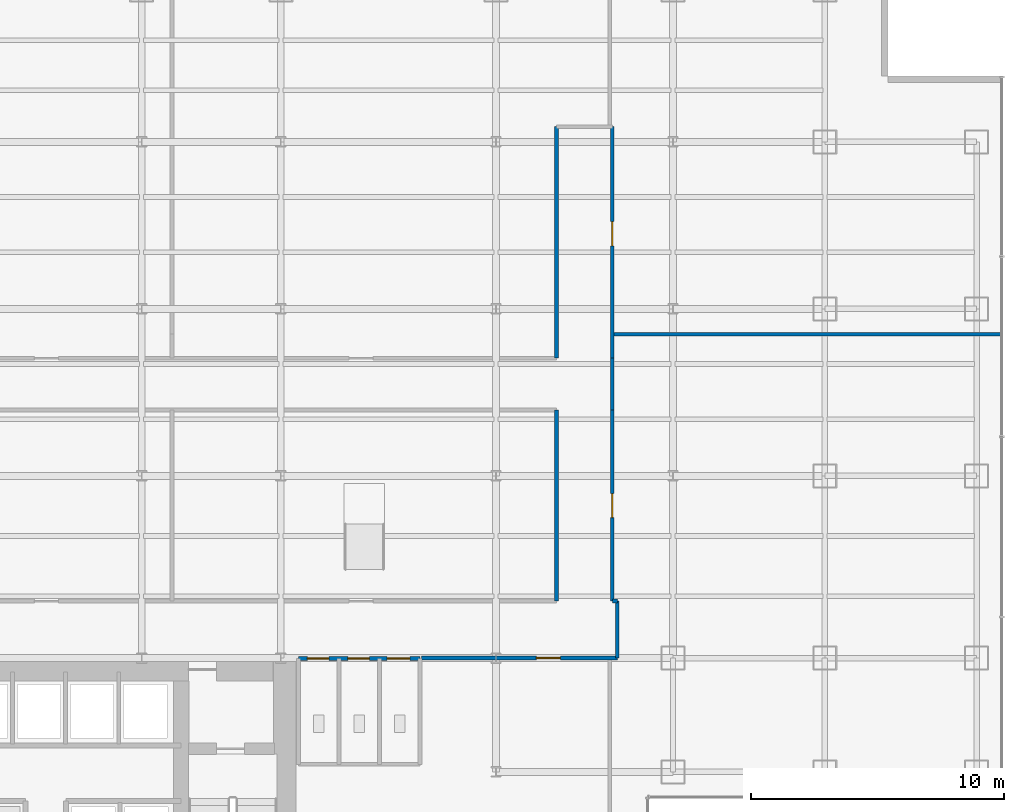
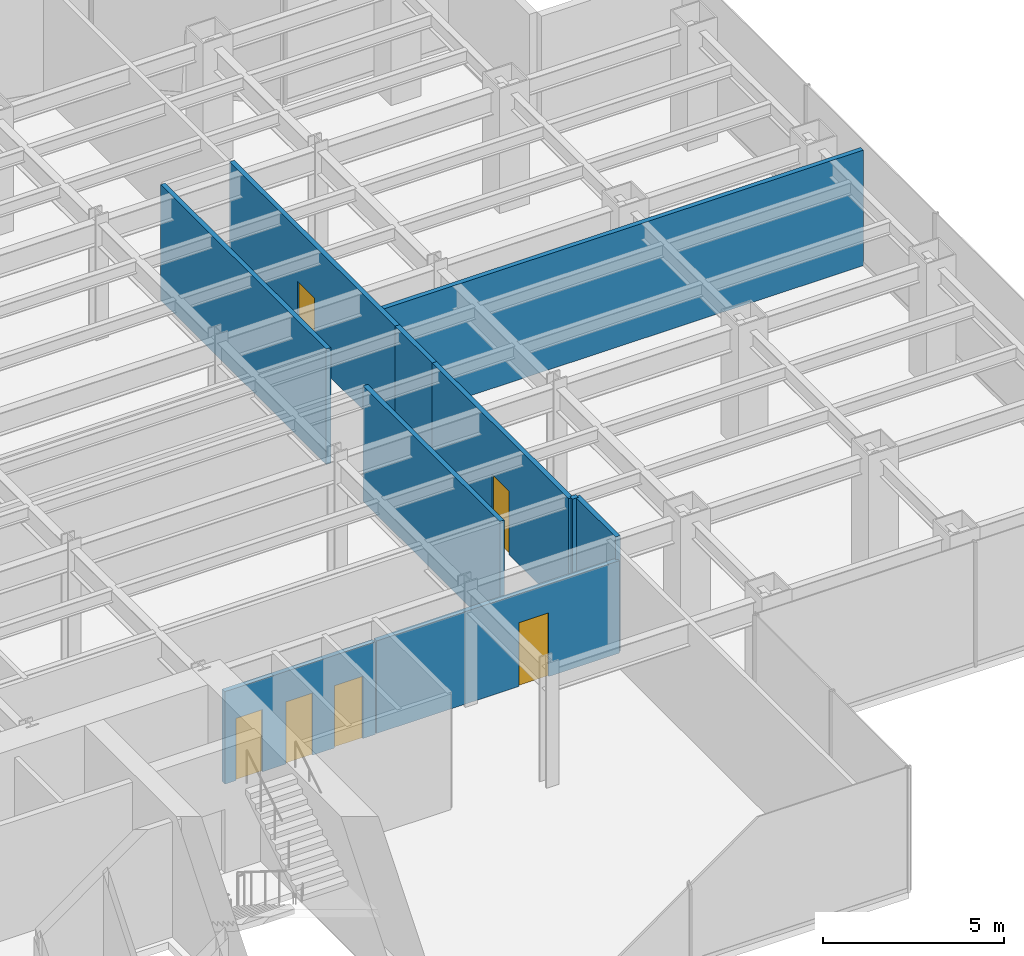
# One storey, part 30 of 35: 10 walls, 6 doors, 6 openings.
"""IFC4 building model written with IfcOpenShell, lengths in metres."""

from ifc_helpers import new_model, si_unit, derived_unit, direction, frame, frame_2d, origin, place, context, subcontext, project, spatial, rectangle, extrude, source, transform, mapped, material, layer, layer_set, type_object, element, fill, save


model = new_model("IFC4")

# Units and contexts
model_context = context("Model", 3, precision=1e-05, world=origin(), true_north=direction((0.0, 1.0)))
body_context = subcontext(model_context, "Body", "Model", "MODEL_VIEW")
ifc_project = project(units=[si_unit("LENGTHUNIT", "METRE"), si_unit("AREAUNIT", "SQUARE_METRE"), si_unit("VOLUMEUNIT", "CUBIC_METRE"), si_unit("PLANEANGLEUNIT", "RADIAN"), si_unit("MASSUNIT", "GRAM", prefix="KILO"), derived_unit("THERMALTRANSMITTANCEUNIT", [(si_unit("POWERUNIT", "WATT"), 1), (si_unit("LENGTHUNIT", "METRE"), -2), (si_unit("THERMODYNAMICTEMPERATUREUNIT", "KELVIN"), -1)])], contexts=[model_context])

# Site, building, storey
site_placement = place(None, origin())
site = spatial("IfcSite", under=ifc_project, at=site_placement, CompositionType="ELEMENT")
building_placement = place(site_placement, origin())
building = spatial("IfcBuilding", under=site, at=building_placement, Name="Skarnbrae Concourse Arena and Tower", CompositionType="ELEMENT")
storey_placement = place(building_placement, frame((0.0, 0.0, 79.949951171875)))
storey = spatial("IfcBuildingStorey", under=building, at=storey_placement, Name="L19", CompositionType="ELEMENT", Elevation=79.949951171875)

# Wall, openings, doors
ifc_material_1 = material(Name="Gypsum board on cold-formed steel studs", Category="steel")
ifc_layer_1 = layer(ifc_material_1, 0.14990234375)
ifc_layer_set_1 = layer_set([ifc_layer_1], Name="Gypsum board on cold-formed steel studs")
wall_type_1 = type_object("IfcWallType", Name="WALL-PART-150", PredefinedType="PARTITIONING", material=ifc_layer_set_1)
shared_shape_1 = source(origin(), body_context, "Body", "SweptSolid", [
    extrude(rectangle(XDim=4.800048828125, YDim=0.14990234375, at=frame_2d((2.39990234375, 0.0))), origin(), (0.0, 0.0, 1.0), 3.125),
])
wall_1_placement = place(storey_placement, frame((34.199951171875, 13.97998046875, 0.0), z_axis=(0.0, 0.0, 1.0), x_axis=(1.0, 0.0, 0.0)))
wall_1 = element("IfcWall", 1, at=wall_1_placement, inside=storey, type_object=wall_type_1, Name="L19 Interior partition wall W-L19-WC-N", PredefinedType="PARTITIONING", context=body_context, shape_type="MappedRepresentation", body=[
    mapped(shared_shape_1, transform((0.0, 0.0, 0.0))),
])
opening_1_placement = place(wall_1_placement, frame((0.35009765625, 0.0, 0.0)))
opening_1 = element("IfcOpeningElement", 2, at=opening_1_placement, cuts=wall_1, Name="Opening DT-06", PredefinedType="OPENING", context=body_context, shape_type="SweptSolid", body=[
    extrude(rectangle(XDim=0.85009765625, YDim=2.10009765625, at=frame_2d((0.425048828125, 1.050048828125))), frame((0.0, 0.0849609375, 0.0), z_axis=(0.0, -1.0, 0.0), x_axis=(1.0, 0.0, 0.0)), (0.0, 0.0, 1.0), 0.169921875),
])
opening_2_placement = place(wall_1_placement, frame((1.949951171875, 0.0, 0.0)))
opening_2 = element("IfcOpeningElement", 3, at=opening_2_placement, cuts=wall_1, Name="Opening DT-06", PredefinedType="OPENING", context=body_context, shape_type="SweptSolid", body=[
    extrude(rectangle(XDim=0.85009765625, YDim=2.10009765625, at=frame_2d((0.425048828125, 1.050048828125))), frame((0.0, 0.0849609375, 0.0), z_axis=(0.0, -1.0, 0.0), x_axis=(1.0, 0.0, 0.0)), (0.0, 0.0, 1.0), 0.169921875),
])
opening_3_placement = place(wall_1_placement, frame((3.5, 0.0, 0.0)))
opening_3 = element("IfcOpeningElement", 4, at=opening_3_placement, cuts=wall_1, Name="Opening DT-05", PredefinedType="OPENING", context=body_context, shape_type="SweptSolid", body=[
    extrude(rectangle(XDim=0.89990234375, YDim=2.10009765625, at=frame_2d((0.449951171875, 1.050048828125))), frame((0.0, 0.0849609375, 0.0), z_axis=(0.0, -1.0, 0.0), x_axis=(1.0, 0.0, 0.0)), (0.0, 0.0, 1.0), 0.169921875),
])
ifc_material_2 = material(Name="Architectural oak veneer timber leaf", Category="wood")
door_type_1 = type_object("IfcDoorType", Name="DOOR-INT-850", OperationType="NOTDEFINED", PredefinedType="DOOR", material=ifc_material_2)
shared_shape_2 = source(origin(), body_context, "Body", "SweptSolid", [
    extrude(rectangle(XDim=0.85009765625, YDim=2.10009765625, at=frame_2d((0.425048828125, 1.050048828125))), frame((0.0, 0.02490234375, 0.0), z_axis=(0.0, -1.0, 0.0), x_axis=(1.0, 0.0, 0.0)), (0.0, 0.0, 1.0), 0.050048828125),
])
door_1_placement = place(opening_1_placement, frame((0.85009765625, 0.0, 0.0), z_axis=(0.0, 0.0, 1.0), x_axis=(-1.0, 0.0, 0.0)))
door_1 = element("IfcDoor", 5, at=door_1_placement, inside=storey, type_object=door_type_1, Name="D-0708 Male Washroom Door", OperationType="SINGLE_SWING_LEFT", OverallHeight=2.10009765625, OverallWidth=0.85009765625, PredefinedType="DOOR", context=body_context, shape_type="MappedRepresentation", body=[
    mapped(shared_shape_2, transform((0.0, 0.0, 0.0))),
])
fill(opening_1, door_1)
door_2_placement = place(opening_2_placement, frame((0.85009765625, 0.0, 0.0), z_axis=(0.0, 0.0, 1.0), x_axis=(-1.0, 0.0, 0.0)))
door_2 = element("IfcDoor", 6, at=door_2_placement, inside=storey, type_object=door_type_1, Name="D-0709 Female Washroom Door", OperationType="SINGLE_SWING_RIGHT", OverallHeight=2.10009765625, OverallWidth=0.85009765625, PredefinedType="DOOR", context=body_context, shape_type="MappedRepresentation", body=[
    mapped(shared_shape_2, transform((0.0, 0.0, 0.0))),
])
fill(opening_2, door_2)
door_type_2 = type_object("IfcDoorType", Name="DOOR-INT-900", OperationType="NOTDEFINED", PredefinedType="DOOR", material=ifc_material_2)
shared_shape_3 = source(origin(), body_context, "Body", "SweptSolid", [
    extrude(rectangle(XDim=0.89990234375, YDim=2.10009765625, at=frame_2d((0.449951171875, 1.050048828125))), frame((0.0, 0.02490234375, 0.0), z_axis=(0.0, -1.0, 0.0), x_axis=(1.0, 0.0, 0.0)), (0.0, 0.0, 1.0), 0.050048828125),
])
door_3_placement = place(opening_3_placement, frame((0.89990234375, 0.0, 0.0), z_axis=(0.0, 0.0, 1.0), x_axis=(-1.0, 0.0, 0.0)))
door_3 = element("IfcDoor", 7, at=door_3_placement, inside=storey, type_object=door_type_2, Name="D-0710 Accessible WC Door", OperationType="SINGLE_SWING_LEFT", OverallHeight=2.10009765625, OverallWidth=0.89990234375, PredefinedType="DOOR", context=body_context, shape_type="MappedRepresentation", body=[
    mapped(shared_shape_3, transform((0.0, 0.0, 0.0))),
])
fill(opening_3, door_3)

# Wall
ifc_layer_2 = layer(ifc_material_1, 0.14990234375)
ifc_layer_set_2 = layer_set([ifc_layer_2], Name="Gypsum board on cold-formed steel studs")
wall_type_2 = type_object("IfcWallType", Name="WALL-PART-150-1HR", PredefinedType="PARTITIONING", material=ifc_layer_set_2)
shared_shape_4 = source(origin(), body_context, "Body", "SweptSolid", [
    extrude(rectangle(XDim=2.25, YDim=0.14990234375, at=frame_2d((1.125, 0.0))), origin(), (0.0, 0.0, 1.0), 3.900146484375),
])
wall_2_placement = place(storey_placement, frame((46.800048828125, 16.25, 0.0), z_axis=(0.0, 0.0, 1.0), x_axis=(0.0, -1.0, 0.0)))
element("IfcWall", 8, at=wall_2_placement, inside=storey, type_object=wall_type_2, Name="L19 Interior partition wall W-L19-COR-16", PredefinedType="PARTITIONING", context=body_context, shape_type="MappedRepresentation", body=[
    mapped(shared_shape_4, transform((0.0, 0.0, 0.0))),
])

# Wall, opening, door
shared_shape_5 = source(origin(), body_context, "Body", "SweptSolid", [
    extrude(rectangle(XDim=7.550048828125, YDim=0.14990234375, at=frame_2d((3.77490234375, 0.0))), origin(), (0.0, 0.0, 1.0), 3.900146484375),
])
wall_3_placement = place(storey_placement, frame((46.60009765625, 23.800048828125, 0.0), z_axis=(0.0, 0.0, 1.0), x_axis=(0.0, -1.0, 0.0)))
wall_3 = element("IfcWall", 9, at=wall_3_placement, inside=storey, type_object=wall_type_2, Name="L19 Interior partition wall W-L19-COR-14", PredefinedType="PARTITIONING", context=body_context, shape_type="MappedRepresentation", body=[
    mapped(shared_shape_5, transform((0.0, 0.0, 0.0))),
])
opening_4_placement = place(wall_3_placement, frame((3.300048828125, 0.0, 0.0)))
opening_4 = element("IfcOpeningElement", 10, at=opening_4_placement, cuts=wall_3, Name="Opening DT-04", PredefinedType="OPENING", context=body_context, shape_type="SweptSolid", body=[
    extrude(rectangle(XDim=0.949951171875, YDim=2.14990234375, at=frame_2d((0.47509765625, 1.074951171875))), frame((0.0, 0.0849609375, 0.0), z_axis=(0.0, -1.0, 0.0), x_axis=(1.0, 0.0, 0.0)), (0.0, 0.0, 1.0), 0.169921875),
])
ifc_material_3 = material(Name="Steel CSA G40.21 350W", Category="steel")
door_type_3 = type_object("IfcDoorType", Name="DOOR-INT-950-45M", OperationType="NOTDEFINED", PredefinedType="DOOR", material=ifc_material_3)
shared_shape_6 = source(origin(), body_context, "Body", "SweptSolid", [
    extrude(rectangle(XDim=0.949951171875, YDim=2.14990234375, at=frame_2d((0.47509765625, 1.074951171875))), frame((0.0, 0.02490234375, 0.0), z_axis=(0.0, -1.0, 0.0), x_axis=(1.0, 0.0, 0.0)), (0.0, 0.0, 1.0), 0.050048828125),
])
door_4_placement = place(opening_4_placement, origin())
door_4 = element("IfcDoor", 11, at=door_4_placement, inside=storey, type_object=door_type_3, Name="D-0719 L19 Suite Door 09", OperationType="SINGLE_SWING_LEFT", OverallHeight=2.14990234375, OverallWidth=0.949951171875, PredefinedType="DOOR", context=body_context, shape_type="MappedRepresentation", body=[
    mapped(shared_shape_6, transform((0.0, 0.0, 0.0))),
])
fill(opening_4, door_4)

# Walls
wall_4_placement = place(storey_placement, frame((44.39990234375, 16.25, 0.0), z_axis=(0.0, 0.0, 1.0), x_axis=(0.0, 1.0, 0.0)))
element("IfcWall", 12, at=wall_4_placement, inside=storey, type_object=wall_type_2, Name="L19 Interior partition wall W-L19-COR-19", PredefinedType="PARTITIONING", context=body_context, shape_type="MappedRepresentation", body=[
    mapped(shared_shape_5, transform((0.0, 0.0, 0.0))),
])
shared_shape_7 = source(origin(), body_context, "Body", "SweptSolid", [
    extrude(rectangle(XDim=2.050048828125, YDim=0.14990234375, at=frame_2d((1.02490234375, 0.0))), origin(), (0.0, 0.0, 1.0), 3.900146484375),
])
wall_5_placement = place(storey_placement, frame((46.60009765625, 25.85009765625, 0.0), z_axis=(0.0, 0.0, 1.0), x_axis=(0.0, -1.0, 0.0)))
element("IfcWall", 13, at=wall_5_placement, inside=storey, type_object=wall_type_2, Name="L19 Interior partition wall W-L19-COR-13", PredefinedType="PARTITIONING", context=body_context, shape_type="MappedRepresentation", body=[
    mapped(shared_shape_7, transform((0.0, 0.0, 0.0))),
])
shared_shape_8 = source(origin(), body_context, "Body", "SweptSolid", [
    extrude(rectangle(XDim=9.14990234375, YDim=0.14990234375, at=frame_2d((4.574951171875, 0.0))), origin(), (0.0, 0.0, 1.0), 3.900146484375),
])
wall_6_placement = place(storey_placement, frame((44.39990234375, 25.85009765625, 0.0), z_axis=(0.0, 0.0, 1.0), x_axis=(0.0, 1.0, 0.0)))
element("IfcWall", 14, at=wall_6_placement, inside=storey, type_object=wall_type_2, Name="L19 Interior partition wall W-L19-COR-10", PredefinedType="PARTITIONING", context=body_context, shape_type="MappedRepresentation", body=[
    mapped(shared_shape_8, transform((0.0, 0.0, 0.0))),
])

# Wall, opening, door
wall_7_placement = place(storey_placement, frame((46.60009765625, 35.0, 0.0), z_axis=(0.0, 0.0, 1.0), x_axis=(0.0, -1.0, 0.0)))
wall_7 = element("IfcWall", 15, at=wall_7_placement, inside=storey, type_object=wall_type_2, Name="L19 Interior partition wall W-L19-COR-12", PredefinedType="PARTITIONING", context=body_context, shape_type="MappedRepresentation", body=[
    mapped(shared_shape_8, transform((0.0, 0.0, 0.0))),
])
opening_5_placement = place(wall_7_placement, frame((3.7548828125, 0.0, 0.0)))
opening_5 = element("IfcOpeningElement", 16, at=opening_5_placement, cuts=wall_7, Name="Opening DT-04", PredefinedType="OPENING", context=body_context, shape_type="SweptSolid", body=[
    extrude(rectangle(XDim=0.949951171875, YDim=2.14990234375, at=frame_2d((0.47509765625, 1.074951171875))), frame((0.0, 0.0849609375, 0.0), z_axis=(0.0, -1.0, 0.0), x_axis=(1.0, 0.0, 0.0)), (0.0, 0.0, 1.0), 0.169921875),
])
door_5_placement = place(opening_5_placement, origin())
door_5 = element("IfcDoor", 17, at=door_5_placement, inside=storey, type_object=door_type_3, Name="D-0718 L19 Suite Door 08", OperationType="SINGLE_SWING_RIGHT", OverallHeight=2.14990234375, OverallWidth=0.949951171875, PredefinedType="DOOR", context=body_context, shape_type="MappedRepresentation", body=[
    mapped(shared_shape_6, transform((0.0, 0.0, 0.0))),
])
fill(opening_5, door_5)

# Wall
shared_shape_9 = source(origin(), body_context, "Body", "SweptSolid", [
    extrude(rectangle(XDim=0.199951171875, YDim=0.14990234375, at=frame_2d((0.10009765625, 0.0))), origin(), (0.0, 0.0, 1.0), 3.900146484375),
])
wall_8_placement = place(storey_placement, frame((46.60009765625, 16.25, 0.0), z_axis=(0.0, 0.0, 1.0), x_axis=(1.0, 0.0, 0.0)))
element("IfcWall", 18, at=wall_8_placement, inside=storey, type_object=wall_type_2, Name="L19 Interior partition wall W-L19-COR-15", PredefinedType="PARTITIONING", context=body_context, shape_type="MappedRepresentation", body=[
    mapped(shared_shape_9, transform((0.0, 0.0, 0.0))),
])

# Wall, opening, door
shared_shape_10 = source(origin(), body_context, "Body", "SweptSolid", [
    extrude(rectangle(XDim=7.75, YDim=0.14990234375, at=frame_2d((3.875, 0.0))), origin(), (0.0, 0.0, 1.0), 3.125),
])
wall_9_placement = place(storey_placement, frame((46.800048828125, 14.0, 0.0), z_axis=(0.0, 0.0, 1.0), x_axis=(-1.0, 0.0, 0.0)))
wall_9 = element("IfcWall", 19, at=wall_9_placement, inside=storey, type_object=wall_type_2, Name="L19 Interior partition wall W-L19-COR-17", PredefinedType="PARTITIONING", context=body_context, shape_type="MappedRepresentation", body=[
    mapped(shared_shape_10, transform((0.0, 0.0, 0.0))),
])
opening_6_placement = place(wall_9_placement, frame((2.25390625, 0.0, 0.0)))
opening_6 = element("IfcOpeningElement", 20, at=opening_6_placement, cuts=wall_9, Name="Opening DT-04", PredefinedType="OPENING", context=body_context, shape_type="SweptSolid", body=[
    extrude(rectangle(XDim=0.949951171875, YDim=2.14990234375, at=frame_2d((0.47509765625, 1.074951171875))), frame((0.0, 0.0849609375, 0.0), z_axis=(0.0, -1.0, 0.0), x_axis=(1.0, 0.0, 0.0)), (0.0, 0.0, 1.0), 0.169921875),
])
door_6_placement = place(opening_6_placement, origin())
door_6 = element("IfcDoor", 21, at=door_6_placement, inside=storey, type_object=door_type_3, Name="D-0717 L19 Suite Door 07", OperationType="SINGLE_SWING_LEFT", OverallHeight=2.14990234375, OverallWidth=0.949951171875, PredefinedType="DOOR", context=body_context, shape_type="MappedRepresentation", body=[
    mapped(shared_shape_6, transform((0.0, 0.0, 0.0))),
])
fill(opening_6, door_6)

# Wall
shared_shape_11 = source(origin(), body_context, "Body", "SweptSolid", [
    extrude(rectangle(XDim=15.3798828125, YDim=0.14990234375, at=frame_2d((7.68994140625, 0.0))), origin(), (0.0, 0.0, 1.0), 3.900146484375),
])
wall_10_placement = place(storey_placement, frame((61.97998046875, 26.800048828125, 0.0), z_axis=(0.0, 0.0, 1.0), x_axis=(-1.0, 0.0, 0.0)))
element("IfcWall", 22, at=wall_10_placement, inside=storey, type_object=wall_type_1, Name="L19 Interior partition wall W-L19-DEM-30", PredefinedType="PARTITIONING", context=body_context, shape_type="MappedRepresentation", body=[
    mapped(shared_shape_11, transform((0.0, 0.0, 0.0))),
])

save(model, "model.ifc")
